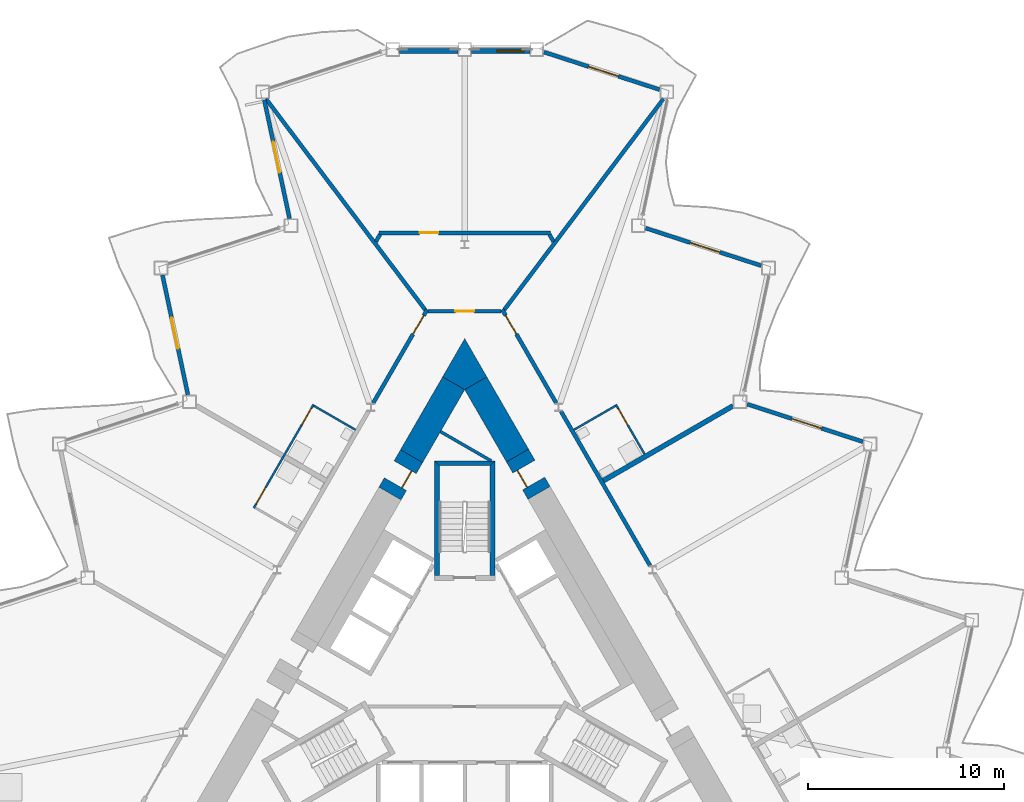
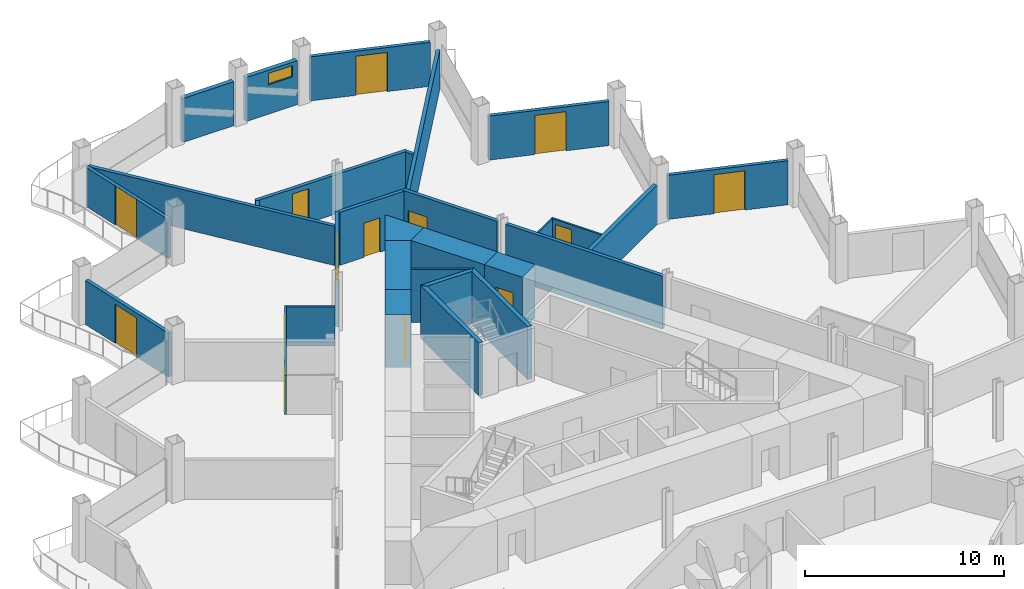
# One storey, part 14 of 24: 30 walls, 14 doors, 1 window, 15 openings.
"""IFC4 building model written with IfcOpenShell, lengths in metres."""

from ifc_helpers import new_model, si_unit, direction, frame, frame_2d, origin, place, context, subcontext, project, spatial, polyline, rectangle, outline, extrude, material, layer, layer_set, type_object, element, fill, save


model = new_model("IFC4")

# Units and contexts
model_context = context("Model", 3, precision=1e-05, world=origin(), true_north=direction((0.0, 1.0)))
body_context = subcontext(model_context, "Body", "Model", "MODEL_VIEW")
ifc_project = project(units=[si_unit("LENGTHUNIT", "METRE"), si_unit("AREAUNIT", "SQUARE_METRE"), si_unit("VOLUMEUNIT", "CUBIC_METRE"), si_unit("PLANEANGLEUNIT", "RADIAN"), si_unit("MASSUNIT", "GRAM", prefix="KILO")], contexts=[model_context])

# Site, building, storey
site_placement = place(None, origin())
site = spatial("IfcSite", under=ifc_project, at=site_placement, CompositionType="ELEMENT")
building_placement = place(site_placement, origin())
building = spatial("IfcBuilding", under=site, at=building_placement, Name="Cormorant Prow Tower", CompositionType="ELEMENT")
storey_placement = place(building_placement, frame((0.0, 0.0, 274.199951171875)))
storey = spatial("IfcBuildingStorey", under=building, at=storey_placement, Name="L62", CompositionType="ELEMENT", Elevation=274.199951171875)

# Walls
ifc_material_1 = material(Name="Gypsum board partition")
ifc_layer_1 = layer(ifc_material_1, 0.14990234375)
ifc_layer_set_1 = layer_set([ifc_layer_1], Name="Gypsum board partition")
wall_type_1 = type_object("IfcWallType", Name="Core partition 150", PredefinedType="PARTITIONING", material=ifc_layer_set_1)
wall_1_placement = place(storey_placement, frame((-1.237060546875, 12.577880859375, 0.0), z_axis=(0.0, 0.0, 1.0), x_axis=(0.866045649925, -0.499964931016, 0.0)))
element("IfcWall", 1, at=wall_1_placement, inside=storey, type_object=wall_type_1, Name="Service room partition", PredefinedType="PARTITIONING", context=body_context, shape_type="SweptSolid", body=[
    extrude(rectangle(XDim=2.992431640625, YDim=0.14990234375, at=frame_2d((1.49609375, 0.0))), origin(), (0.0, 0.0, 1.0), 3.25),
])
ifc_material_2 = material(Name="Concrete 8000 psi", Category="concrete")
ifc_layer_2 = layer(ifc_material_2, 1.300048828125)
ifc_layer_set_2 = layer_set([ifc_layer_2], Name="Concrete 8000 psi")
wall_type_2 = type_object("IfcWallType", Name="Core shear wall 1300", PredefinedType="SHEAR", material=ifc_layer_set_2)
wall_2_placement = place(storey_placement, frame((2.693115234375, 11.356201171875, 0.0), z_axis=(0.0, 0.0, 1.0), x_axis=(-0.50002837164, 0.866009022791, 0.0)))
element("IfcWall", 2, at=wall_2_placement, inside=storey, type_object=wall_type_2, Name="Core wall", PredefinedType="SHEAR", context=body_context, shape_type="SweptSolid", body=[
    extrude(rectangle(XDim=4.260009765625, YDim=1.300048828125, at=frame_2d((2.1298828125, 0.0))), origin(), (0.0, 0.0, 1.0), 3.25),
])
wall_3_placement = place(storey_placement, frame((-0.56298828125, 15.04541015625, 0.0), z_axis=(0.0, 0.0, 1.0), x_axis=(-0.499994567278, -0.866028540345, 0.0)))
element("IfcWall", 3, at=wall_3_placement, inside=storey, type_object=wall_type_2, Name="Core wall", PredefinedType="SHEAR", context=body_context, shape_type="SweptSolid", body=[
    extrude(rectangle(XDim=4.29736328125, YDim=1.300048828125, at=frame_2d((2.148681640625, 0.0))), origin(), (0.0, 0.0, 1.0), 3.25),
])
wall_4_placement = place(storey_placement, origin())
element("IfcWall", 4, at=wall_4_placement, inside=storey, type_object=wall_type_2, Name="Core wall corner", PredefinedType="SHEAR", context=body_context, shape_type="SweptSolid", body=[
    extrude(outline(polyline([(-1.125732421875, 15.37060546875), (0.0, 17.320556640625), (1.125732421875, 15.37060546875), (0.0, 14.720458984375), (-1.125732421875, 15.37060546875)])), origin(), (0.0, 0.0, 1.0), 3.25),
])

# Wall, opening, door
wall_5_placement = place(storey_placement, frame((-2.7119140625, 11.32373046875, 0.0), z_axis=(0.0, 0.0, 1.0), x_axis=(-0.499946605688, -0.86605622881, 0.0)))
wall_5 = element("IfcWall", 5, at=wall_5_placement, inside=storey, type_object=wall_type_2, Name="Core wall door panel", PredefinedType="SHEAR", context=body_context, shape_type="SweptSolid", body=[
    extrude(rectangle(XDim=2.199951171875, YDim=1.300048828125, at=frame_2d((1.10009765625, 0.0))), origin(), (0.0, 0.0, 1.0), 3.25),
])
opening_1_placement = place(wall_5_placement, frame((0.64990234375, 0.0, 0.0)))
opening_1 = element("IfcOpeningElement", 6, at=opening_1_placement, cuts=wall_5, Name="Opening L62-C17", PredefinedType="OPENING", context=body_context, shape_type="SweptSolid", body=[
    extrude(rectangle(XDim=1.0, YDim=2.10009765625, at=frame_2d((0.5, 1.050048828125))), frame((0.0, 0.659912109375, 0.0), z_axis=(0.0, -1.0, 0.0), x_axis=(1.0, 0.0, 0.0)), (0.0, 0.0, 1.0), 1.320068359375),
])
ifc_material_3 = material(Name="Painted steel", Category="steel")
door_type_1 = type_object("IfcDoorType", Name="Service door 1000x2100", OperationType="NOTDEFINED", PredefinedType="DOOR", material=ifc_material_3)
door_1_placement = place(opening_1_placement, origin())
door_1 = element("IfcDoor", 7, at=door_1_placement, inside=storey, type_object=door_type_1, Name="Core door, Telecom room", OperationType="SINGLE_SWING_LEFT", OverallHeight=2.10009765625, OverallWidth=1.0, PredefinedType="DOOR", context=body_context, shape_type="SweptSolid", body=[
    extrude(rectangle(XDim=1.0, YDim=2.10009765625, at=frame_2d((0.5, 1.050048828125))), frame((0.0, 0.40478515625, 0.0), z_axis=(0.0, -1.0, 0.0), x_axis=(1.0, 0.0, 0.0)), (0.0, 0.0, 1.0), 0.050048828125),
])
fill(opening_1, door_1)

wall_6_placement = place(storey_placement, frame((3.79296875, 9.450927734375, 0.0), z_axis=(0.0, 0.0, 1.0), x_axis=(-0.499946605688, 0.86605622881, 0.0)))
wall_6 = element("IfcWall", 8, at=wall_6_placement, inside=storey, type_object=wall_type_2, Name="Core wall door panel", PredefinedType="SHEAR", context=body_context, shape_type="SweptSolid", body=[
    extrude(rectangle(XDim=2.199951171875, YDim=1.300048828125, at=frame_2d((1.10009765625, 0.0))), origin(), (0.0, 0.0, 1.0), 3.25),
])
opening_2_placement = place(wall_6_placement, frame((0.550048828125, 0.0, 0.0)))
opening_2 = element("IfcOpeningElement", 9, at=opening_2_placement, cuts=wall_6, Name="Opening L62-C18", PredefinedType="OPENING", context=body_context, shape_type="SweptSolid", body=[
    extrude(rectangle(XDim=1.0, YDim=2.10009765625, at=frame_2d((0.5, 1.050048828125))), frame((0.0, 0.659912109375, 0.0), z_axis=(0.0, -1.0, 0.0), x_axis=(1.0, 0.0, 0.0)), (0.0, 0.0, 1.0), 1.320068359375),
])
door_2_placement = place(opening_2_placement, origin())
door_2 = element("IfcDoor", 10, at=door_2_placement, inside=storey, type_object=door_type_1, Name="Core door, Pantry store", OperationType="SINGLE_SWING_RIGHT", OverallHeight=2.10009765625, OverallWidth=1.0, PredefinedType="DOOR", context=body_context, shape_type="SweptSolid", body=[
    extrude(rectangle(XDim=1.0, YDim=2.10009765625, at=frame_2d((0.5, 1.050048828125))), frame((0.0, 0.40478515625, 0.0), z_axis=(0.0, -1.0, 0.0), x_axis=(1.0, 0.0, 0.0)), (0.0, 0.0, 1.0), 0.050048828125),
])
fill(opening_2, door_2)

# Wall
ifc_material_4 = material(Name="Gypsum board corridor wall")
ifc_layer_3 = layer(ifc_material_4, 0.199951171875)
ifc_layer_set_3 = layer_set([ifc_layer_3], Name="Gypsum board corridor wall")
wall_type_3 = type_object("IfcWallType", Name="Corridor wall 200", PredefinedType="PARTITIONING", material=ifc_layer_set_3)
wall_7_placement = place(storey_placement, frame((4.91015625, 13.61572265625, 0.0), z_axis=(0.0, 0.0, 1.0), x_axis=(0.50000207303, -0.866024206917, 0.0)))
element("IfcWall", 11, at=wall_7_placement, inside=storey, type_object=wall_type_3, Name="Corridor wall", PredefinedType="PARTITIONING", context=body_context, shape_type="SweptSolid", body=[
    extrude(rectangle(XDim=9.0947265625, YDim=0.199951171875, at=frame_2d((4.54736328125, 0.0))), origin(), (0.0, 0.0, 1.0), 3.25),
])

# Wall, opening, door
wall_8_placement = place(storey_placement, frame((-4.668212890625, 14.034912109375, 0.0), z_axis=(0.0, 0.0, 1.0), x_axis=(0.499984524817, 0.866034338201, 0.0)))
wall_8 = element("IfcWall", 12, at=wall_8_placement, inside=storey, type_object=wall_type_3, Name="Corridor wall", PredefinedType="PARTITIONING", context=body_context, shape_type="SweptSolid", body=[
    extrude(rectangle(XDim=5.510498046875, YDim=0.199951171875, at=frame_2d((2.75537109375, 0.0))), origin(), (0.0, 0.0, 1.0), 3.25),
])
opening_3_placement = place(wall_8_placement, frame((4.060302734375, 0.0, 0.0)))
opening_3 = element("IfcOpeningElement", 13, at=opening_3_placement, cuts=wall_8, Name="Opening L62-F15", PredefinedType="OPENING", context=body_context, shape_type="SweptSolid", body=[
    extrude(rectangle(XDim=1.10009765625, YDim=2.10009765625, at=frame_2d((0.550048828125, 1.050048828125))), frame((0.0, 0.10986328125, 0.0), z_axis=(0.0, -1.0, 0.0), x_axis=(1.0, 0.0, 0.0)), (0.0, 0.0, 1.0), 0.219970703125),
])
ifc_material_5 = material(Name="Timber door leaf", Category="wood")
door_type_2 = type_object("IfcDoorType", Name="Suite entrance door 1100x2100", OperationType="NOTDEFINED", PredefinedType="DOOR", material=ifc_material_5)
door_3_placement = place(opening_3_placement, origin())
door_3 = element("IfcDoor", 14, at=door_3_placement, inside=storey, type_object=door_type_2, Name="Executive suite bedroom door", OperationType="SINGLE_SWING_RIGHT", OverallHeight=2.10009765625, OverallWidth=1.10009765625, PredefinedType="DOOR", context=body_context, shape_type="SweptSolid", body=[
    extrude(rectangle(XDim=1.10009765625, YDim=2.10009765625, at=frame_2d((0.550048828125, 1.050048828125))), frame((0.0, 0.02490234375, 0.0), z_axis=(0.0, -1.0, 0.0), x_axis=(1.0, 0.0, 0.0)), (0.0, 0.0, 1.0), 0.050048828125),
])
fill(opening_3, door_3)

wall_9_placement = place(storey_placement, frame((1.9130859375, 18.80712890625, 0.0), z_axis=(0.0, 0.0, 1.0), x_axis=(0.499984524817, -0.866034338201, 0.0)))
wall_9 = element("IfcWall", 15, at=wall_9_placement, inside=storey, type_object=wall_type_3, Name="Corridor wall", PredefinedType="PARTITIONING", context=body_context, shape_type="SweptSolid", body=[
    extrude(rectangle(XDim=5.510498046875, YDim=0.199951171875, at=frame_2d((2.75537109375, 0.0))), origin(), (0.0, 0.0, 1.0), 3.25),
])
opening_4_placement = place(wall_9_placement, frame((0.350341796875, 0.0, 0.0)))
opening_4 = element("IfcOpeningElement", 16, at=opening_4_placement, cuts=wall_9, Name="Opening L62-F11", PredefinedType="OPENING", context=body_context, shape_type="SweptSolid", body=[
    extrude(rectangle(XDim=1.10009765625, YDim=2.10009765625, at=frame_2d((0.550048828125, 1.050048828125))), frame((0.0, 0.10986328125, 0.0), z_axis=(0.0, -1.0, 0.0), x_axis=(1.0, 0.0, 0.0)), (0.0, 0.0, 1.0), 0.219970703125),
])
door_4_placement = place(opening_4_placement, origin())
door_4 = element("IfcDoor", 17, at=door_4_placement, inside=storey, type_object=door_type_2, Name="Executive suite bedroom door", OperationType="SINGLE_SWING_LEFT", OverallHeight=2.10009765625, OverallWidth=1.10009765625, PredefinedType="DOOR", context=body_context, shape_type="SweptSolid", body=[
    extrude(rectangle(XDim=1.10009765625, YDim=2.10009765625, at=frame_2d((0.550048828125, 1.050048828125))), frame((0.0, 0.02490234375, 0.0), z_axis=(0.0, -1.0, 0.0), x_axis=(1.0, 0.0, 0.0)), (0.0, 0.0, 1.0), 0.050048828125),
])
fill(opening_4, door_4)

wall_10_placement = place(storey_placement, frame((-1.863037109375, 18.720458984375, 0.0), z_axis=(0.0, 0.0, 1.0), x_axis=(1.0, 0.0, 0.0)))
wall_10 = element("IfcWall", 18, at=wall_10_placement, inside=storey, type_object=wall_type_3, Name="Corridor wall", PredefinedType="PARTITIONING", context=body_context, shape_type="SweptSolid", body=[
    extrude(rectangle(XDim=3.72607421875, YDim=0.199951171875, at=frame_2d((1.863037109375, 0.0))), origin(), (0.0, 0.0, 1.0), 3.25),
])
opening_5_placement = place(wall_10_placement, frame((1.387939453125, 0.0, 0.0)))
opening_5 = element("IfcOpeningElement", 19, at=opening_5_placement, cuts=wall_10, Name="Opening L62-F13", PredefinedType="OPENING", context=body_context, shape_type="SweptSolid", body=[
    extrude(rectangle(XDim=0.949951171875, YDim=2.10009765625, at=frame_2d((0.47509765625, 1.050048828125))), frame((0.0, 0.10986328125, 0.0), z_axis=(0.0, -1.0, 0.0), x_axis=(1.0, 0.0, 0.0)), (0.0, 0.0, 1.0), 0.219970703125),
])
ifc_material_6 = material(Name="Timber door leaf", Category="wood")
door_type_3 = type_object("IfcDoorType", Name="Store door 950x2100", OperationType="NOTDEFINED", PredefinedType="DOOR", material=ifc_material_6)
door_5_placement = place(opening_5_placement, origin())
door_5 = element("IfcDoor", 20, at=door_5_placement, inside=storey, type_object=door_type_3, Name="Housekeeping room door", OperationType="SINGLE_SWING_LEFT", OverallHeight=2.10009765625, OverallWidth=0.949951171875, PredefinedType="DOOR", context=body_context, shape_type="SweptSolid", body=[
    extrude(rectangle(XDim=0.949951171875, YDim=2.10009765625, at=frame_2d((0.47509765625, 1.050048828125))), frame((0.0, 0.02490234375, 0.0), z_axis=(0.0, -1.0, 0.0), x_axis=(1.0, 0.0, 0.0)), (0.0, 0.0, 1.0), 0.050048828125),
])
fill(opening_5, door_5)

# Walls
ifc_material_7 = material(Name="Gypsum board demising wall")
ifc_layer_4 = layer(ifc_material_7, 0.199951171875)
ifc_layer_set_4 = layer_set([ifc_layer_4], Name="Gypsum board demising wall")
wall_type_4 = type_object("IfcWallType", Name="Demising wall 200", PredefinedType="PARTITIONING", material=ifc_layer_set_4)
for number, where, z_axis, x_axis, name in (
    (21, (2.023193359375, 18.80029296875, 0.0), (0.0, 0.0, 1.0), (0.602360077041, 0.798224490721, 0.0), "Demising wall"),
    (22, (-10.1396484375, 29.555908203125, 0.0), (0.0, 0.0, 1.0), (0.602360077041, -0.798224490721, 0.0), "Demising wall"),
):
    element("IfcWall", number, at=place(storey_placement, frame(where, z_axis=z_axis, x_axis=x_axis)), inside=storey, type_object=wall_type_4, Name=name, PredefinedType="PARTITIONING", context=body_context, shape_type="SweptSolid", body=[
        extrude(rectangle(XDim=13.474365234375, YDim=0.199951171875, at=frame_2d((6.7373046875, 0.0))), origin(), (0.0, 0.0, 1.0), 2.404296875),
    ])

# Wall, opening, door
wall_11_placement = place(storey_placement, frame((-4.372314453125, 22.720458984375, 0.0), z_axis=(0.0, 0.0, 1.0), x_axis=(1.0, 0.0, 0.0)))
wall_11 = element("IfcWall", 23, at=wall_11_placement, inside=storey, type_object=wall_type_4, Name="Demising wall", PredefinedType="PARTITIONING", context=body_context, shape_type="SweptSolid", body=[
    extrude(rectangle(XDim=8.74462890625, YDim=0.199951171875, at=frame_2d((4.372314453125, 0.0))), origin(), (0.0, 0.0, 1.0), 2.404296875),
])
opening_6_placement = place(wall_11_placement, frame((2.07373046875, 0.0, 0.0)))
opening_6 = element("IfcOpeningElement", 24, at=opening_6_placement, cuts=wall_11, Name="Opening L62-F14", PredefinedType="OPENING", context=body_context, shape_type="SweptSolid", body=[
    extrude(rectangle(XDim=0.949951171875, YDim=2.10009765625, at=frame_2d((0.47509765625, 1.050048828125))), frame((0.0, 0.10986328125, 0.0), z_axis=(0.0, -1.0, 0.0), x_axis=(1.0, 0.0, 0.0)), (0.0, 0.0, 1.0), 0.219970703125),
])
door_6_placement = place(opening_6_placement, origin())
door_6 = element("IfcDoor", 25, at=door_6_placement, inside=storey, type_object=door_type_3, Name="Linen store door", OperationType="SINGLE_SWING_RIGHT", OverallHeight=2.10009765625, OverallWidth=0.949951171875, PredefinedType="DOOR", context=body_context, shape_type="SweptSolid", body=[
    extrude(rectangle(XDim=0.949951171875, YDim=2.10009765625, at=frame_2d((0.47509765625, 1.050048828125))), frame((0.0, 0.02490234375, 0.0), z_axis=(0.0, -1.0, 0.0), x_axis=(1.0, 0.0, 0.0)), (0.0, 0.0, 1.0), 0.050048828125),
])
fill(opening_6, door_6)

# Walls
for number, where, z_axis, x_axis, name in (
    (26, (-4.52978515625, 22.274658203125, 0.0), (0.0, 0.0, 1.0), (0.499875358948, 0.866097353371, 0.0), "Demising wall"),
    (27, (4.322509765625, 22.6337890625, 0.0), (0.0, 0.0, 1.0), (0.499875358948, -0.866097353371, 0.0), "Demising wall"),
):
    element("IfcWall", number, at=place(storey_placement, frame(where, z_axis=z_axis, x_axis=x_axis)), inside=storey, type_object=wall_type_4, Name=name, PredefinedType="PARTITIONING", context=body_context, shape_type="SweptSolid", body=[
        extrude(rectangle(XDim=0.41455078125, YDim=0.199951171875, at=frame_2d((0.207275390625, 0.0))), origin(), (0.0, 0.0, 1.0), 2.404296875),
    ])

# Wall, openings, doors
ifc_material_8 = material(Name="Gypsum board partition")
ifc_layer_5 = layer(ifc_material_8, 0.10009765625)
ifc_layer_set_5 = layer_set([ifc_layer_5], Name="Gypsum board partition")
wall_type_5 = type_object("IfcWallType", Name="Internal partition 100", PredefinedType="PARTITIONING", material=ifc_layer_set_5)
wall_12_placement = place(storey_placement, frame((-10.762451171875, 8.67919921875, 0.0), z_axis=(0.0, 0.0, 1.0), x_axis=(0.500008851346, 0.866020293397, 0.0)))
wall_12 = element("IfcWall", 28, at=wall_12_placement, inside=storey, type_object=wall_type_5, Name="Internal partition", PredefinedType="PARTITIONING", context=body_context, shape_type="SweptSolid", body=[
    extrude(rectangle(XDim=6.10009765625, YDim=0.10009765625, at=frame_2d((3.050048828125, 0.0))), origin(), (0.0, 0.0, 1.0), 2.404296875),
])
opening_7_placement = place(wall_12_placement, frame((4.89990234375, 0.0, 0.0)))
opening_7 = element("IfcOpeningElement", 29, at=opening_7_placement, cuts=wall_12, Name="Opening L62-F16", PredefinedType="OPENING", context=body_context, shape_type="SweptSolid", body=[
    extrude(rectangle(XDim=0.949951171875, YDim=2.10009765625, at=frame_2d((0.47509765625, 1.050048828125))), frame((0.0, 0.06005859375, 0.0), z_axis=(0.0, -1.0, 0.0), x_axis=(1.0, 0.0, 0.0)), (0.0, 0.0, 1.0), 0.1201171875),
])
opening_8_placement = place(wall_12_placement, frame((0.25, 0.0, 0.0)))
opening_8 = element("IfcOpeningElement", 30, at=opening_8_placement, cuts=wall_12, Name="Opening L62-F18", PredefinedType="OPENING", context=body_context, shape_type="SweptSolid", body=[
    extrude(rectangle(XDim=0.949951171875, YDim=2.10009765625, at=frame_2d((0.47509765625, 1.050048828125))), frame((0.0, 0.06005859375, 0.0), z_axis=(0.0, -1.0, 0.0), x_axis=(1.0, 0.0, 0.0)), (0.0, 0.0, 1.0), 0.1201171875),
])
ifc_material_9 = material(Name="Timber door leaf", Category="wood")
door_type_4 = type_object("IfcDoorType", Name="Bathroom door 950x2100", OperationType="NOTDEFINED", PredefinedType="DOOR", material=ifc_material_9)
door_7_placement = place(opening_7_placement, origin())
door_7 = element("IfcDoor", 31, at=door_7_placement, inside=storey, type_object=door_type_4, Name="Executive suite bedroom door", OperationType="SINGLE_SWING_RIGHT", OverallHeight=2.10009765625, OverallWidth=0.949951171875, PredefinedType="DOOR", context=body_context, shape_type="SweptSolid", body=[
    extrude(rectangle(XDim=0.949951171875, YDim=2.10009765625, at=frame_2d((0.47509765625, 1.050048828125))), frame((0.0, 0.02490234375, 0.0), z_axis=(0.0, -1.0, 0.0), x_axis=(1.0, 0.0, 0.0)), (0.0, 0.0, 1.0), 0.050048828125),
])
fill(opening_7, door_7)
door_8_placement = place(opening_8_placement, origin())
door_8 = element("IfcDoor", 32, at=door_8_placement, inside=storey, type_object=door_type_4, Name="Junior suite door", OperationType="SINGLE_SWING_LEFT", OverallHeight=2.10009765625, OverallWidth=0.949951171875, PredefinedType="DOOR", context=body_context, shape_type="SweptSolid", body=[
    extrude(rectangle(XDim=0.949951171875, YDim=2.10009765625, at=frame_2d((0.47509765625, 1.050048828125))), frame((0.0, 0.02490234375, 0.0), z_axis=(0.0, -1.0, 0.0), x_axis=(1.0, 0.0, 0.0)), (0.0, 0.0, 1.0), 0.050048828125),
])
fill(opening_8, door_8)

# Wall, opening, door
wall_13_placement = place(storey_placement, frame((7.71240234375, 13.9619140625, 0.0), z_axis=(0.0, 0.0, 1.0), x_axis=(0.500062034277, -0.865989585315, 0.0)))
wall_13 = element("IfcWall", 33, at=wall_13_placement, inside=storey, type_object=wall_type_5, Name="Internal partition", PredefinedType="PARTITIONING", context=body_context, shape_type="SweptSolid", body=[
    extrude(rectangle(XDim=2.925048828125, YDim=0.10009765625, at=frame_2d((1.46240234375, 0.0))), origin(), (0.0, 0.0, 1.0), 2.404296875),
])
opening_9_placement = place(wall_13_placement, frame((0.25, 0.0, 0.0)))
opening_9 = element("IfcOpeningElement", 34, at=opening_9_placement, cuts=wall_13, Name="Opening L62-F12", PredefinedType="OPENING", context=body_context, shape_type="SweptSolid", body=[
    extrude(rectangle(XDim=0.949951171875, YDim=2.10009765625, at=frame_2d((0.47509765625, 1.050048828125))), frame((0.0, 0.06005859375, 0.0), z_axis=(0.0, -1.0, 0.0), x_axis=(1.0, 0.0, 0.0)), (0.0, 0.0, 1.0), 0.1201171875),
])
door_9_placement = place(opening_9_placement, origin())
door_9 = element("IfcDoor", 35, at=door_9_placement, inside=storey, type_object=door_type_4, Name="Executive suite bedroom door", OperationType="SINGLE_SWING_LEFT", OverallHeight=2.10009765625, OverallWidth=0.949951171875, PredefinedType="DOOR", context=body_context, shape_type="SweptSolid", body=[
    extrude(rectangle(XDim=0.949951171875, YDim=2.10009765625, at=frame_2d((0.47509765625, 1.050048828125))), frame((0.0, 0.02490234375, 0.0), z_axis=(0.0, -1.0, 0.0), x_axis=(1.0, 0.0, 0.0)), (0.0, 0.0, 1.0), 0.050048828125),
])
fill(opening_9, door_9)

# Walls
for number, where, z_axis, x_axis, name in (
    (36, (5.572509765625, 12.668701171875, 0.0), (0.0, 0.0, 1.0), (0.865989751695, 0.500061746146, 0.0), "Internal partition"),
    (37, (-7.694091796875, 13.893798828125, 0.0), (0.0, 0.0, 1.0), (0.865989751695, -0.500061746146, 0.0), "Internal partition"),
):
    element("IfcWall", number, at=place(storey_placement, frame(where, z_axis=z_axis, x_axis=x_axis)), inside=storey, type_object=wall_type_5, Name=name, PredefinedType="PARTITIONING", context=body_context, shape_type="SweptSolid", body=[
        extrude(rectangle(XDim=2.449951171875, YDim=0.10009765625, at=frame_2d((1.22509765625, 0.0))), origin(), (0.0, 0.0, 1.0), 2.404296875),
    ])
ifc_material_10 = material(Name="Concrete 8000 psi", Category="concrete")
ifc_layer_6 = layer(ifc_material_10, 0.25)
ifc_layer_set_6 = layer_set([ifc_layer_6], Name="Concrete 8000 psi")
wall_type_6 = type_object("IfcWallType", Name="Stair wall 250", PredefinedType="SHEAR", material=ifc_layer_set_6)
wall_14_placement = place(storey_placement, origin())
element("IfcWall", 38, at=wall_14_placement, inside=storey, type_object=wall_type_6, Name="Stair ST3 enclosure wall (flank)", PredefinedType="SHEAR", context=body_context, shape_type="SweptSolid", body=[
    extrude(outline(polyline([(1.5439453125, 5.23681640625), (1.5439453125, 11.0869140625), (1.2939453125, 10.8369140625), (1.2939453125, 5.23681640625), (1.5439453125, 5.23681640625)])), origin(), (0.0, 0.0, 1.0), 3.25),
])
wall_15_placement = place(storey_placement, origin())
element("IfcWall", 39, at=wall_15_placement, inside=storey, type_object=wall_type_6, Name="Stair ST3 enclosure wall (end)", PredefinedType="SHEAR", context=body_context, shape_type="SweptSolid", body=[
    extrude(outline(polyline([(1.5439453125, 11.0869140625), (-1.5439453125, 11.0869140625), (-1.2939453125, 10.8369140625), (1.2939453125, 10.8369140625), (1.5439453125, 11.0869140625)])), origin(), (0.0, 0.0, 1.0), 3.25),
])
wall_16_placement = place(storey_placement, origin())
element("IfcWall", 40, at=wall_16_placement, inside=storey, type_object=wall_type_6, Name="Stair ST3 enclosure wall (flank)", PredefinedType="SHEAR", context=body_context, shape_type="SweptSolid", body=[
    extrude(outline(polyline([(-1.2939453125, 10.8369140625), (-1.5439453125, 11.0869140625), (-1.5439453125, 5.23681640625), (-1.2939453125, 5.23681640625), (-1.2939453125, 10.8369140625)])), origin(), (0.0, 0.0, 1.0), 3.25),
])
ifc_material_11 = material(Name="Acoustic gypsum party wall")
ifc_layer_7 = layer(ifc_material_11, 0.25)
ifc_layer_set_7 = layer_set([ifc_layer_7], Name="Acoustic gypsum party wall")
wall_type_7 = type_object("IfcWallType", Name="Suite party wall 250", PredefinedType="PARTITIONING", material=ifc_layer_set_7)
wall_17_placement = place(storey_placement, frame((7.072509765625, 10.07080078125, 0.0), z_axis=(0.0, 0.0, 1.0), x_axis=(0.866041332704, 0.499972409287, 0.0)))
element("IfcWall", 41, at=wall_17_placement, inside=storey, type_object=wall_type_7, Name="Suite party wall", PredefinedType="PARTITIONING", context=body_context, shape_type="SweptSolid", body=[
    extrude(rectangle(XDim=7.6376953125, YDim=0.25, at=frame_2d((3.81884765625, 0.0))), origin(), (0.0, 0.0, 1.0), 2.404296875),
])

# Wall, opening, window
ifc_material_12 = material(Name="Terracotta", Category="masonry")
ifc_layer_8 = layer(ifc_material_12, 0.25)
ifc_layer_set_8 = layer_set([ifc_layer_8], Name="Terracotta")
wall_type_8 = type_object("IfcWallType", Name="Terracotta bay wall 250", PredefinedType="SOLIDWALL", material=ifc_layer_set_8)
wall_18_placement = place(storey_placement, frame((3.3203125, 32.0009765625, 0.0), z_axis=(0.0, 0.0, 1.0), x_axis=(-1.0, 0.0, 0.0)))
wall_18 = element("IfcWall", 42, at=wall_18_placement, inside=storey, type_object=wall_type_8, Name="Terracotta bay wall N00", PredefinedType="SOLIDWALL", context=body_context, shape_type="SweptSolid", body=[
    extrude(rectangle(XDim=2.97021484375, YDim=0.25, at=frame_2d((1.485107421875, 0.0))), origin(), (0.0, 0.0, 1.0), 2.700927734375),
])
opening_10_placement = place(wall_18_placement, frame((0.27978515625, 0.0, 1.800048828125)))
opening_10 = element("IfcOpeningElement", 43, at=opening_10_placement, cuts=wall_18, Name="Opening WN4", PredefinedType="OPENING", context=body_context, shape_type="SweptSolid", body=[
    extrude(rectangle(XDim=1.39990234375, YDim=0.699951171875, at=frame_2d((0.699951171875, 0.35009765625))), frame((0.0, 0.135009765625, 0.0), z_axis=(0.0, -1.0, 0.0), x_axis=(1.0, 0.0, 0.0)), (0.0, 0.0, 1.0), 0.27001953125),
])
ifc_material_13 = material(Name="Aluminium 6063-T6", Category="aluminium")
window_type = type_object("IfcWindowType", Name="Corner bay window 1400x700", PartitioningType="SINGLE_PANEL", PredefinedType="WINDOW", material=ifc_material_13)
window_placement = place(opening_10_placement, origin())
window = element("IfcWindow", 44, at=window_placement, inside=storey, type_object=window_type, Name="Corner bay window N00", OverallHeight=0.699951171875, OverallWidth=1.39990234375, PartitioningType="SINGLE_PANEL", PredefinedType="WINDOW", context=body_context, shape_type="SweptSolid", body=[
    extrude(rectangle(XDim=1.39990234375, YDim=0.699951171875, at=frame_2d((0.699951171875, 0.35009765625))), frame((0.0, 0.030029296875, 0.0), z_axis=(0.0, -1.0, 0.0), x_axis=(1.0, 0.0, 0.0)), (0.0, 0.0, 1.0), 0.06005859375),
])
fill(opening_10, window)

# Wall
wall_19_placement = place(storey_placement, frame((-0.35009765625, 32.0009765625, 0.0), z_axis=(0.0, 0.0, 1.0), x_axis=(-1.0, 0.0, 0.0)))
element("IfcWall", 45, at=wall_19_placement, inside=storey, type_object=wall_type_8, Name="Terracotta bay wall N01", PredefinedType="SOLIDWALL", context=body_context, shape_type="SweptSolid", body=[
    extrude(rectangle(XDim=2.97021484375, YDim=0.25, at=frame_2d((1.485107421875, 0.0))), origin(), (0.0, 0.0, 1.0), 2.700927734375),
])

# Wall, opening, door
ifc_material_14 = material(Name="Terracotta", Category="masonry")
ifc_layer_9 = layer(ifc_material_14, 0.199951171875)
ifc_layer_set_9 = layer_set([ifc_layer_9], Name="Terracotta")
wall_type_9 = type_object("IfcWallType", Name="Terracotta jamb wall 200", PredefinedType="SOLIDWALL", material=ifc_layer_set_9)
wall_20_placement = place(storey_placement, frame((20.31201171875, 12.060302734375, 0.0), z_axis=(0.0, 0.0, 1.0), x_axis=(-0.951048841206, 0.309040614873, 0.0)))
wall_20 = element("IfcWall", 46, at=wall_20_placement, inside=storey, type_object=wall_type_9, Name="Terracotta jamb wall ENE05", PredefinedType="SOLIDWALL", context=body_context, shape_type="SweptSolid", body=[
    extrude(rectangle(XDim=6.193603515625, YDim=0.199951171875, at=frame_2d((3.0966796875, 0.0))), origin(), (0.0, 0.0, 1.0), 2.700927734375),
])
opening_11_placement = place(wall_20_placement, frame((2.210205078125, 0.0, 0.0)))
opening_11 = element("IfcOpeningElement", 47, at=opening_11_placement, cuts=wall_20, Name="Opening ED62.08", PredefinedType="OPENING", context=body_context, shape_type="SweptSolid", body=[
    extrude(rectangle(XDim=1.60009765625, YDim=2.39990234375, at=frame_2d((0.800048828125, 1.199951171875))), frame((0.0, 0.10986328125, 0.0), z_axis=(0.0, -1.0, 0.0), x_axis=(1.0, 0.0, 0.0)), (0.0, 0.0, 1.0), 0.219970703125),
])
ifc_material_15 = material(Name="Aluminium 6063-T6", Category="aluminium")
door_type_5 = type_object("IfcDoorType", Name="Balcony door 1600x2400", OperationType="DOUBLE_DOOR_SINGLE_SWING", PredefinedType="DOOR", material=ifc_material_15)
door_10_placement = place(opening_11_placement, origin())
door_10 = element("IfcDoor", 48, at=door_10_placement, inside=storey, type_object=door_type_5, Name="Balcony door ENE05 ED62.08", OperationType="DOUBLE_DOOR_SINGLE_SWING", OverallHeight=2.39990234375, OverallWidth=1.60009765625, PredefinedType="DOOR", context=body_context, shape_type="SweptSolid", body=[
    extrude(rectangle(XDim=1.60009765625, YDim=2.39990234375, at=frame_2d((0.800048828125, 1.199951171875))), frame((0.0, 0.02490234375, 0.0), z_axis=(0.0, -1.0, 0.0), x_axis=(1.0, 0.0, 0.0)), (0.0, 0.0, 1.0), 0.050048828125),
])
fill(opening_11, door_10)

wall_21_placement = place(storey_placement, frame((15.123779296875, 21.04248046875, 0.0), z_axis=(0.0, 0.0, 1.0), x_axis=(-0.951060426261, 0.309004960478, 0.0)))
wall_21 = element("IfcWall", 49, at=wall_21_placement, inside=storey, type_object=wall_type_9, Name="Terracotta jamb wall ENE07", PredefinedType="SOLIDWALL", context=body_context, shape_type="SweptSolid", body=[
    extrude(rectangle(XDim=6.193603515625, YDim=0.199951171875, at=frame_2d((3.0966796875, 0.0))), origin(), (0.0, 0.0, 1.0), 2.700927734375),
])
opening_12_placement = place(wall_21_placement, frame((2.20703125, 0.0, 0.0)))
opening_12 = element("IfcOpeningElement", 50, at=opening_12_placement, cuts=wall_21, Name="Opening ED62.09", PredefinedType="OPENING", context=body_context, shape_type="SweptSolid", body=[
    extrude(rectangle(XDim=1.60009765625, YDim=2.39990234375, at=frame_2d((0.800048828125, 1.199951171875))), frame((0.0, 0.10986328125, 0.0), z_axis=(0.0, -1.0, 0.0), x_axis=(1.0, 0.0, 0.0)), (0.0, 0.0, 1.0), 0.219970703125),
])
door_11_placement = place(opening_12_placement, origin())
door_11 = element("IfcDoor", 51, at=door_11_placement, inside=storey, type_object=door_type_5, Name="Balcony door ENE07 ED62.09", OperationType="DOUBLE_DOOR_SINGLE_SWING", OverallHeight=2.39990234375, OverallWidth=1.60009765625, PredefinedType="DOOR", context=body_context, shape_type="SweptSolid", body=[
    extrude(rectangle(XDim=1.60009765625, YDim=2.39990234375, at=frame_2d((0.800048828125, 1.199951171875))), frame((0.0, 0.02490234375, 0.0), z_axis=(0.0, -1.0, 0.0), x_axis=(1.0, 0.0, 0.0)), (0.0, 0.0, 1.0), 0.050048828125),
])
fill(opening_12, door_11)

wall_22_placement = place(storey_placement, frame((9.935546875, 30.0244140625, 0.0), z_axis=(0.0, 0.0, 1.0), x_axis=(-0.951060426261, 0.309004960478, 0.0)))
wall_22 = element("IfcWall", 52, at=wall_22_placement, inside=storey, type_object=wall_type_9, Name="Terracotta jamb wall ENE09", PredefinedType="SOLIDWALL", context=body_context, shape_type="SweptSolid", body=[
    extrude(rectangle(XDim=6.193603515625, YDim=0.199951171875, at=frame_2d((3.0966796875, 0.0))), origin(), (0.0, 0.0, 1.0), 2.700927734375),
])
opening_13_placement = place(wall_22_placement, frame((2.203857421875, 0.0, 0.0)))
opening_13 = element("IfcOpeningElement", 53, at=opening_13_placement, cuts=wall_22, Name="Opening ED62.10", PredefinedType="OPENING", context=body_context, shape_type="SweptSolid", body=[
    extrude(rectangle(XDim=1.60009765625, YDim=2.39990234375, at=frame_2d((0.800048828125, 1.199951171875))), frame((0.0, 0.10986328125, 0.0), z_axis=(0.0, -1.0, 0.0), x_axis=(1.0, 0.0, 0.0)), (0.0, 0.0, 1.0), 0.219970703125),
])
door_12_placement = place(opening_13_placement, origin())
door_12 = element("IfcDoor", 54, at=door_12_placement, inside=storey, type_object=door_type_5, Name="Balcony door ENE09 ED62.10", OperationType="DOUBLE_DOOR_SINGLE_SWING", OverallHeight=2.39990234375, OverallWidth=1.60009765625, PredefinedType="DOOR", context=body_context, shape_type="SweptSolid", body=[
    extrude(rectangle(XDim=1.60009765625, YDim=2.39990234375, at=frame_2d((0.800048828125, 1.199951171875))), frame((0.0, 0.02490234375, 0.0), z_axis=(0.0, -1.0, 0.0), x_axis=(1.0, 0.0, 0.0)), (0.0, 0.0, 1.0), 0.050048828125),
])
fill(opening_13, door_12)

wall_23_placement = place(storey_placement, frame((-10.225341796875, 29.50048828125, 0.0), z_axis=(0.0, 0.0, 1.0), x_axis=(0.207897015768, -0.978150719897, 0.0)))
wall_23 = element("IfcWall", 55, at=wall_23_placement, inside=storey, type_object=wall_type_9, Name="Terracotta jamb wall WNW01", PredefinedType="SOLIDWALL", context=body_context, shape_type="SweptSolid", body=[
    extrude(rectangle(XDim=6.181640625, YDim=0.199951171875, at=frame_2d((3.0908203125, 0.0))), origin(), (0.0, 0.0, 1.0), 2.404296875),
])
opening_14_placement = place(wall_23_placement, frame((2.187744140625, 0.0, 0.0)))
opening_14 = element("IfcOpeningElement", 56, at=opening_14_placement, cuts=wall_23, Name="Opening ED62.11", PredefinedType="OPENING", context=body_context, shape_type="SweptSolid", body=[
    extrude(rectangle(XDim=1.60009765625, YDim=2.39990234375, at=frame_2d((0.800048828125, 1.199951171875))), frame((0.0, 0.10986328125, 0.0), z_axis=(0.0, -1.0, 0.0), x_axis=(1.0, 0.0, 0.0)), (0.0, 0.0, 1.0), 0.219970703125),
])
door_13_placement = place(opening_14_placement, origin())
door_13 = element("IfcDoor", 57, at=door_13_placement, inside=storey, type_object=door_type_5, Name="Balcony door WNW01 ED62.11", OperationType="DOUBLE_DOOR_SINGLE_SWING", OverallHeight=2.39990234375, OverallWidth=1.60009765625, PredefinedType="DOOR", context=body_context, shape_type="SweptSolid", body=[
    extrude(rectangle(XDim=1.60009765625, YDim=2.39990234375, at=frame_2d((0.800048828125, 1.199951171875))), frame((0.0, 0.02490234375, 0.0), z_axis=(0.0, -1.0, 0.0), x_axis=(1.0, 0.0, 0.0)), (0.0, 0.0, 1.0), 0.050048828125),
])
fill(opening_14, door_13)

wall_24_placement = place(storey_placement, frame((-15.419921875, 20.563232421875, 0.0), z_axis=(0.0, 0.0, 1.0), x_axis=(0.207907484076, -0.978148494895, 0.0)))
wall_24 = element("IfcWall", 58, at=wall_24_placement, inside=storey, type_object=wall_type_9, Name="Terracotta jamb wall WNW03", PredefinedType="SOLIDWALL", context=body_context, shape_type="SweptSolid", body=[
    extrude(rectangle(XDim=6.23193359375, YDim=0.199951171875, at=frame_2d((3.115966796875, 0.0))), origin(), (0.0, 0.0, 1.0), 2.700927734375),
])
opening_15_placement = place(wall_24_placement, frame((2.232421875, 0.0, 0.0)))
opening_15 = element("IfcOpeningElement", 59, at=opening_15_placement, cuts=wall_24, Name="Opening ED62.12", PredefinedType="OPENING", context=body_context, shape_type="SweptSolid", body=[
    extrude(rectangle(XDim=1.60009765625, YDim=2.39990234375, at=frame_2d((0.800048828125, 1.199951171875))), frame((0.0, 0.10986328125, 0.0), z_axis=(0.0, -1.0, 0.0), x_axis=(1.0, 0.0, 0.0)), (0.0, 0.0, 1.0), 0.219970703125),
])
door_14_placement = place(opening_15_placement, origin())
door_14 = element("IfcDoor", 60, at=door_14_placement, inside=storey, type_object=door_type_5, Name="Balcony door WNW03 ED62.12", OperationType="DOUBLE_DOOR_SINGLE_SWING", OverallHeight=2.39990234375, OverallWidth=1.60009765625, PredefinedType="DOOR", context=body_context, shape_type="SweptSolid", body=[
    extrude(rectangle(XDim=1.60009765625, YDim=2.39990234375, at=frame_2d((0.800048828125, 1.199951171875))), frame((0.0, 0.02490234375, 0.0), z_axis=(0.0, -1.0, 0.0), x_axis=(1.0, 0.0, 0.0)), (0.0, 0.0, 1.0), 0.050048828125),
])
fill(opening_15, door_14)

save(model, "model.ifc")
